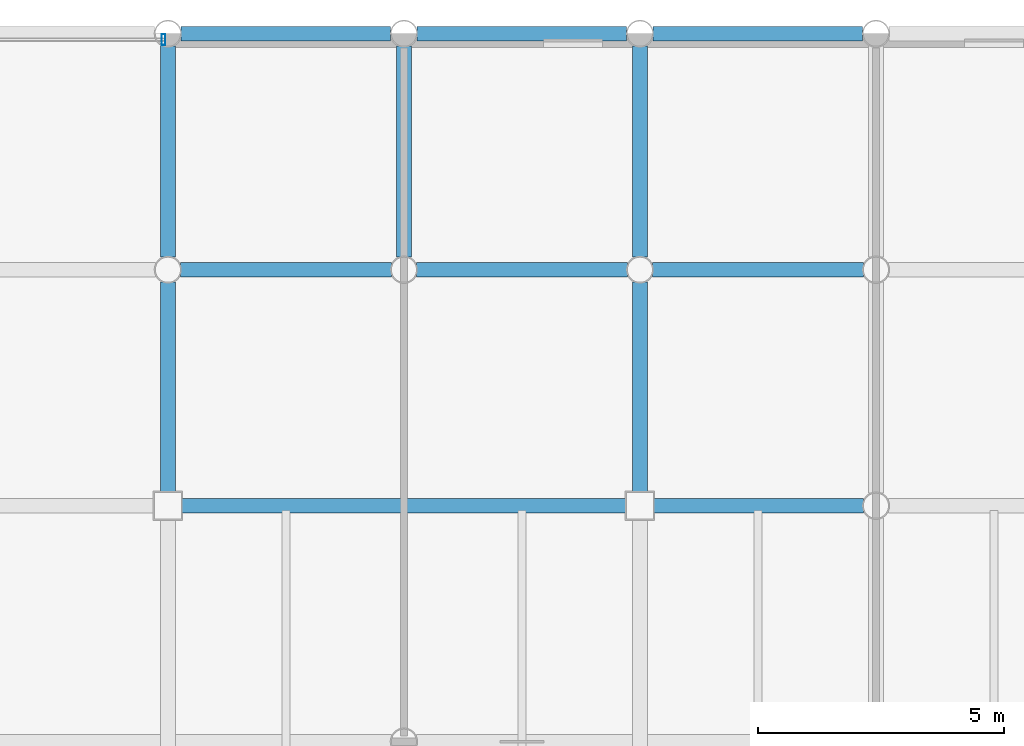
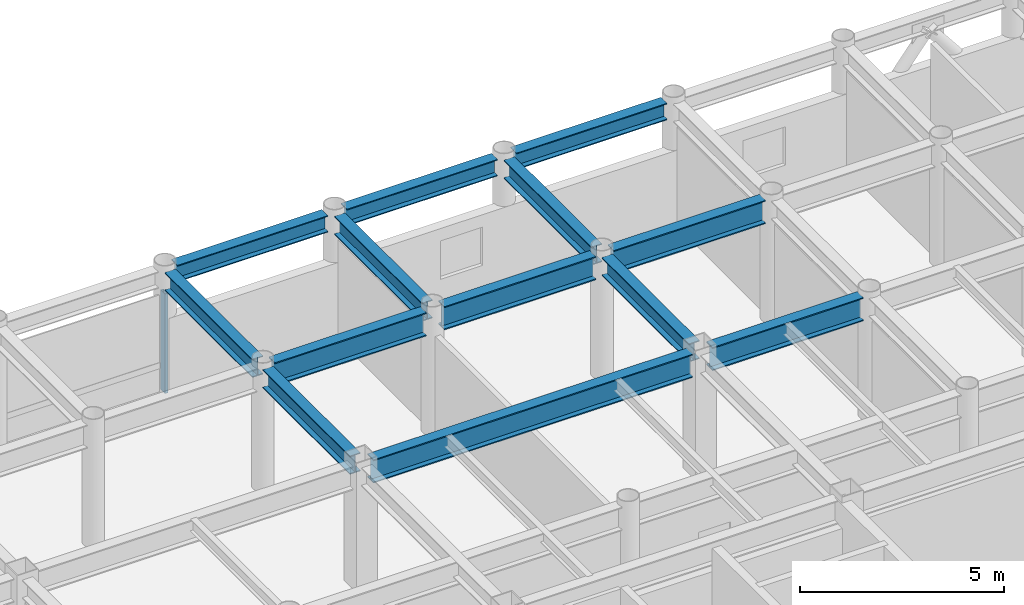
# One storey, part 15 of 22: 13 beams, 1 member, 1 element without a shape of its own.
"""IFC4 building model written with IfcOpenShell, lengths in metres."""

from ifc_helpers import new_model, si_unit, direction, frame, origin, origin_2d, place, context, subcontext, project, spatial, hollow_rectangle, i_section, extrude, material, layer, layer_set, material_profile, profile_set, type_object, element, aggregate, save


model = new_model("IFC4")

# Units and contexts
model_context = context("Model", 3, precision=1e-05, world=origin(), true_north=direction((0.0, 1.0)))
body_context = subcontext(model_context, "Body", "Model", "MODEL_VIEW")
ifc_project = project(units=[si_unit("LENGTHUNIT", "METRE"), si_unit("AREAUNIT", "SQUARE_METRE"), si_unit("VOLUMEUNIT", "CUBIC_METRE"), si_unit("PLANEANGLEUNIT", "RADIAN"), si_unit("MASSUNIT", "GRAM", prefix="KILO")], contexts=[model_context])

# Site, building, storey
site_placement = place(None, origin())
site = spatial("IfcSite", under=ifc_project, at=site_placement, CompositionType="ELEMENT")
building_placement = place(site_placement, origin())
building = spatial("IfcBuilding", under=site, at=building_placement, Name="Kallvorn Hotel Tower", CompositionType="ELEMENT")
storey_placement = place(building_placement, frame((0.0, 0.0, 226.14990234375)))
storey = spatial("IfcBuildingStorey", under=building, at=storey_placement, Name="L56", CompositionType="ELEMENT", Elevation=226.14990234375)

# Beams
ifc_material_1 = material(Name="Structural steel S355JR", Category="steel")
ifc_material_profile_1 = material_profile(ifc_material_1, i_section(OverallWidth=0.300048828125, OverallDepth=0.5, WebThickness=0.014404296875, FlangeThickness=0.028076171875, at=origin_2d()), Name="HE 500 B")
ifc_profile_set_1 = profile_set([ifc_material_profile_1], Name="Structural steel S355JR")
beam_type_1 = type_object("IfcBeamType", Name="BM_HE500B", PredefinedType="SPANDREL", material=ifc_profile_set_1)
beam_1_placement = place(storey_placement, frame((5.069580078125, 24.0, 3.420166015625), z_axis=(1.0, 0.0, 0.0), x_axis=(0.0, 1.0, 0.0)))
element("IfcBeam", 1, at=beam_1_placement, inside=storey, type_object=beam_type_1, Name="L57 Perimeter Spandrel 169", PredefinedType="SPANDREL", context=body_context, shape_type="SweptSolid", body=[
    extrude(i_section(OverallWidth=0.300048828125, OverallDepth=0.5, WebThickness=0.014404296875, FlangeThickness=0.028076171875, at=origin_2d()), origin(), (0.0, 0.0, 1.0), 4.260986328125),
])
beam_2_placement = place(storey_placement, frame((9.869384765625, 24.0, 3.420166015625), z_axis=(1.0, 0.0, 0.0), x_axis=(0.0, 1.0, 0.0)))
element("IfcBeam", 2, at=beam_2_placement, inside=storey, type_object=beam_type_1, Name="L57 Perimeter Spandrel 170", PredefinedType="SPANDREL", context=body_context, shape_type="SweptSolid", body=[
    extrude(i_section(OverallWidth=0.300048828125, OverallDepth=0.5, WebThickness=0.014404296875, FlangeThickness=0.028076171875, at=origin_2d()), origin(), (0.0, 0.0, 1.0), 4.26123046875),
])
beam_3_placement = place(storey_placement, frame((14.66943359375, 24.0, 3.420166015625), z_axis=(1.0, 0.0, 0.0), x_axis=(0.0, 1.0, 0.0)))
element("IfcBeam", 3, at=beam_3_placement, inside=storey, type_object=beam_type_1, Name="L57 Perimeter Spandrel 171", PredefinedType="SPANDREL", context=body_context, shape_type="SweptSolid", body=[
    extrude(i_section(OverallWidth=0.300048828125, OverallDepth=0.5, WebThickness=0.014404296875, FlangeThickness=0.028076171875, at=origin_2d()), origin(), (0.0, 0.0, 1.0), 4.260986328125),
])
ifc_material_2 = material(Name="Structural steel S355JR", Category="steel")
ifc_material_profile_2 = material_profile(ifc_material_2, i_section(OverallWidth=0.300048828125, OverallDepth=0.550048828125, WebThickness=0.014892578125, FlangeThickness=0.029052734375, at=origin_2d()), Name="HE 550 B")
ifc_profile_set_2 = profile_set([ifc_material_profile_2], Name="Structural steel S355JR")
beam_type_2 = type_object("IfcBeamType", Name="BM_HE550B", PredefinedType="SPANDREL", material=ifc_profile_set_2)
beam_4_placement = place(storey_placement, frame((4.800048828125, 14.675048828125, 3.39501953125), z_axis=(0.0, 1.0, 0.0), x_axis=(-1.0, 0.0, 0.0)))
element("IfcBeam", 4, at=beam_4_placement, inside=storey, type_object=beam_type_2, Name="L57 Primary Y-Girder 116", PredefinedType="SPANDREL", context=body_context, shape_type="SweptSolid", body=[
    extrude(i_section(OverallWidth=0.300048828125, OverallDepth=0.550048828125, WebThickness=0.014892578125, FlangeThickness=0.029052734375, at=origin_2d()), origin(), (0.0, 0.0, 1.0), 4.2705078125),
])
for number, where, z_axis, x_axis, name in (
    (5, (4.800048828125, 19.45458984375, 3.39501953125), (0.0, 1.0, 0.0), (-1.0, 0.0, 0.0), "L57 Primary Y-Girder 117"),
    (6, (9.60009765625, 19.45458984375, 3.39501953125), (0.0, 1.0, 0.0), (-1.0, 0.0, 0.0), "L57 Primary Y-Girder 120"),
):
    element("IfcBeam", number, at=place(storey_placement, frame(where, z_axis=z_axis, x_axis=x_axis)), inside=storey, type_object=beam_type_2, Name=name, PredefinedType="SPANDREL", context=body_context, shape_type="SweptSolid", body=[
        extrude(i_section(OverallWidth=0.300048828125, OverallDepth=0.550048828125, WebThickness=0.014892578125, FlangeThickness=0.029052734375, at=origin_2d()), origin(), (0.0, 0.0, 1.0), 4.291015625),
    ])
beam_5_placement = place(storey_placement, frame((14.39990234375, 14.675048828125, 3.39501953125), z_axis=(0.0, 1.0, 0.0), x_axis=(-1.0, 0.0, 0.0)))
element("IfcBeam", 7, at=beam_5_placement, inside=storey, type_object=beam_type_2, Name="L57 Primary Y-Girder 124", PredefinedType="SPANDREL", context=body_context, shape_type="SweptSolid", body=[
    extrude(i_section(OverallWidth=0.300048828125, OverallDepth=0.550048828125, WebThickness=0.014892578125, FlangeThickness=0.029052734375, at=origin_2d()), origin(), (0.0, 0.0, 1.0), 4.2705078125),
])
beam_6_placement = place(storey_placement, frame((14.39990234375, 19.45458984375, 3.39501953125), z_axis=(0.0, 1.0, 0.0), x_axis=(-1.0, 0.0, 0.0)))
element("IfcBeam", 8, at=beam_6_placement, inside=storey, type_object=beam_type_2, Name="L57 Primary Y-Girder 125", PredefinedType="SPANDREL", context=body_context, shape_type="SweptSolid", body=[
    extrude(i_section(OverallWidth=0.300048828125, OverallDepth=0.550048828125, WebThickness=0.014892578125, FlangeThickness=0.029052734375, at=origin_2d()), origin(), (0.0, 0.0, 1.0), 4.291015625),
])
ifc_material_3 = material(Name="Structural steel S355JR", Category="steel")
ifc_material_profile_3 = material_profile(ifc_material_3, i_section(OverallWidth=0.300048828125, OverallDepth=0.699951171875, WebThickness=0.01708984375, FlangeThickness=0.031982421875, at=origin_2d()), Name="HE 700 B")
ifc_profile_set_3 = profile_set([ifc_material_profile_3], Name="Structural steel S355JR")
beam_type_3 = type_object("IfcBeamType", Name="BM_HE700B", PredefinedType="BEAM", material=ifc_profile_set_3)
beam_7_placement = place(storey_placement, frame((5.074951171875, 14.39990234375, 3.320068359375), z_axis=(1.0, 0.0, 0.0), x_axis=(0.0, 1.0, 0.0)))
element("IfcBeam", 9, at=beam_7_placement, inside=storey, type_object=beam_type_3, Name="L57 Primary X-Girder 55", PredefinedType="BEAM", context=body_context, shape_type="SweptSolid", body=[
    extrude(i_section(OverallWidth=0.300048828125, OverallDepth=0.699951171875, WebThickness=0.01708984375, FlangeThickness=0.031982421875, at=origin_2d()), origin(), (0.0, 0.0, 1.0), 9.050048828125),
])
beam_8_placement = place(storey_placement, frame((14.675048828125, 14.39990234375, 3.320068359375), z_axis=(1.0, 0.0, 0.0), x_axis=(0.0, 1.0, 0.0)))
element("IfcBeam", 10, at=beam_8_placement, inside=storey, type_object=beam_type_3, Name="L57 Primary X-Girder 56", PredefinedType="BEAM", context=body_context, shape_type="SweptSolid", body=[
    extrude(i_section(OverallWidth=0.300048828125, OverallDepth=0.699951171875, WebThickness=0.01708984375, FlangeThickness=0.031982421875, at=origin_2d()), origin(), (0.0, 0.0, 1.0), 4.2705078125),
])
for number, where, z_axis, x_axis, name in (
    (11, (5.054443359375, 19.199951171875, 3.320068359375), (1.0, 0.0, 0.0), (0.0, 1.0, 0.0), "L57 Primary X-Girder 67"),
    (12, (9.8544921875, 19.199951171875, 3.320068359375), (1.0, 0.0, 0.0), (0.0, 1.0, 0.0), "L57 Primary X-Girder 68"),
    (13, (14.654541015625, 19.199951171875, 3.320068359375), (1.0, 0.0, 0.0), (0.0, 1.0, 0.0), "L57 Primary X-Girder 69"),
):
    element("IfcBeam", number, at=place(storey_placement, frame(where, z_axis=z_axis, x_axis=x_axis)), inside=storey, type_object=beam_type_3, Name=name, PredefinedType="BEAM", context=body_context, shape_type="SweptSolid", body=[
        extrude(i_section(OverallWidth=0.300048828125, OverallDepth=0.699951171875, WebThickness=0.01708984375, FlangeThickness=0.031982421875, at=origin_2d()), origin(), (0.0, 0.0, 1.0), 4.291015625),
    ])

# Curtain wall, member
ifc_material_4 = material(Name="Thermally broken black-anodised aluminium AA 6063-T6", Category="aluminium")
ifc_layer = layer(ifc_material_4, 0.22998046875)
ifc_layer_set = layer_set([ifc_layer], Name="CW_SYS_5_HOTEL_HIGH")
curtain_wall_type = type_object("IfcCurtainWallType", Name="CW_SYS_5_HOTEL_HIGH", PredefinedType="USERDEFINED", material=ifc_layer_set)
curtain_wall_placement = place(storey_placement, origin())
curtain_wall = element("IfcCurtainWall", 14, at=curtain_wall_placement, inside=storey, type_object=curtain_wall_type, Name="L56 Dark-Glass Curtain Wall CW-L56-NC", ObjectType="UNITISED CURTAIN WALL", PredefinedType="USERDEFINED")
ifc_material_5 = material(Name="Thermally broken black-anodised aluminium AA 6063-T6", Category="aluminium")
ifc_material_profile_4 = material_profile(ifc_material_5, hollow_rectangle(XDim=0.080078125, YDim=0.219970703125, WallThickness=0.0048828125, at=origin_2d()), Name="MUL 220x80")
ifc_profile_set_4 = profile_set([ifc_material_profile_4], Name="Thermally broken black-anodised aluminium AA 6063-T6")
member_type = type_object("IfcMemberType", Name="CW_MULLION_220x80", PredefinedType="MULLION", material=ifc_profile_set_4)
member_placement = place(storey_placement, frame((4.7099609375, 23.8798828125, 0.02001953125), z_axis=(0.0, 0.0, 1.0), x_axis=(1.0, 0.0, 0.0)))
member = element("IfcMember", 15, at=member_placement, type_object=member_type, Name="CW-L56-NC Mullion 02", PredefinedType="MULLION", context=body_context, shape_type="SweptSolid", body=[
    extrude(hollow_rectangle(XDim=0.080078125, YDim=0.219970703125, WallThickness=0.0048828125, at=origin_2d()), origin(), (0.0, 0.0, 1.0), 2.97998046875),
])
aggregate(curtain_wall, [member])

save(model, "model.ifc")
